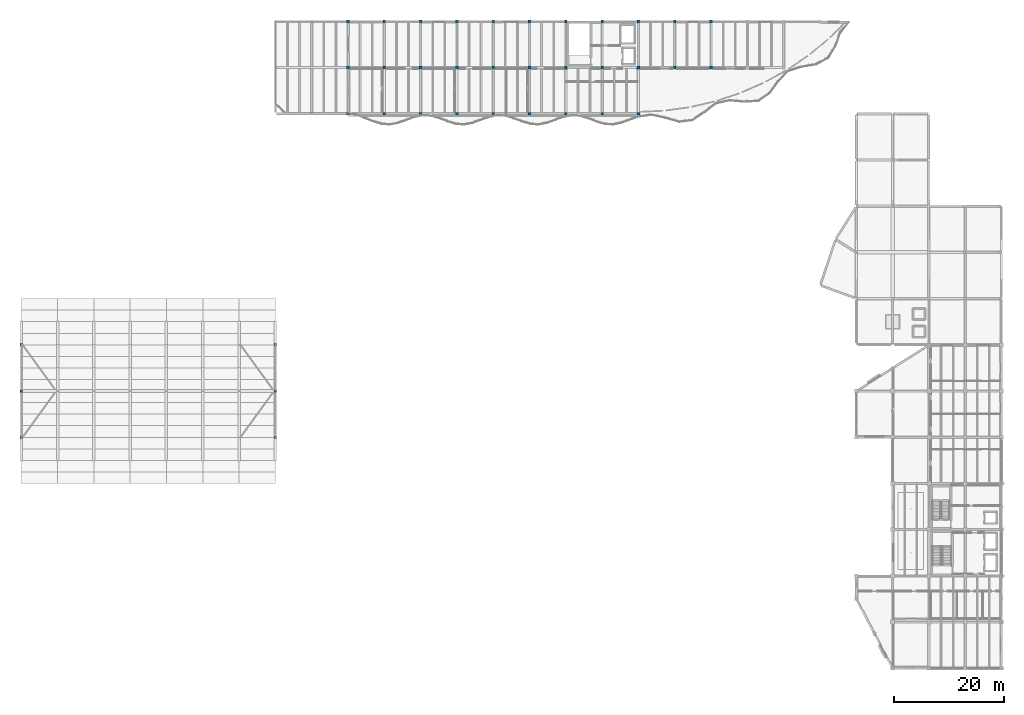
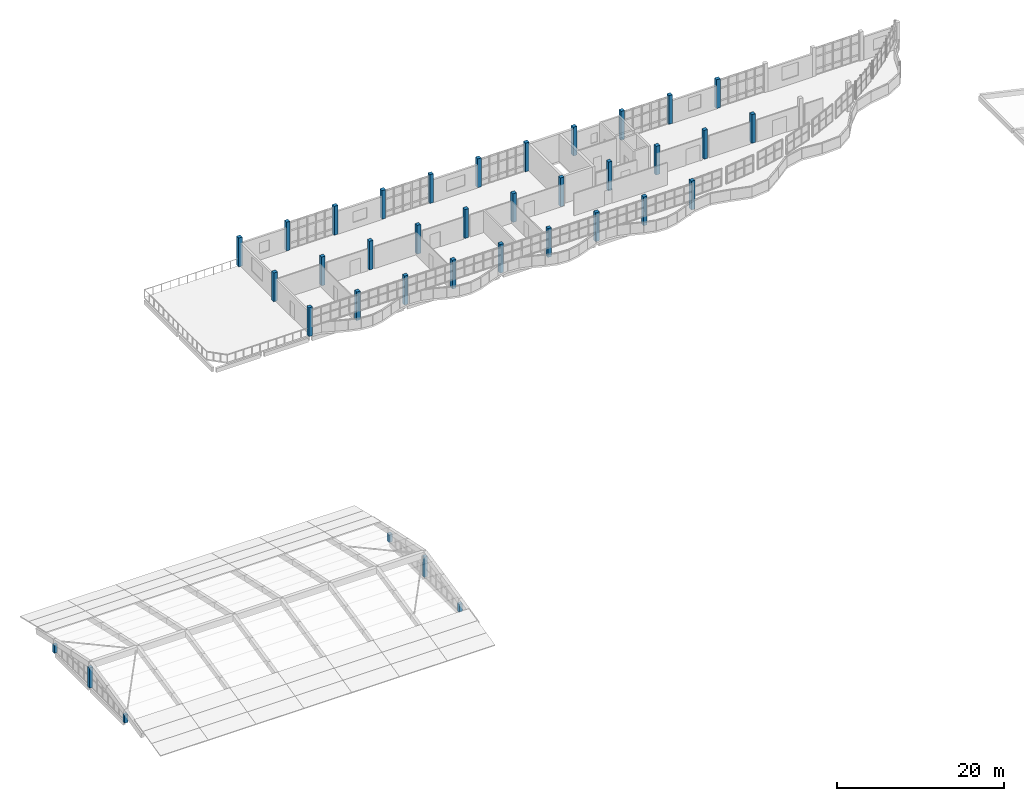
# One storey, part 1 of 47: 37 columns.
"""IFC4 building model written with IfcOpenShell, lengths in metres."""

from ifc_helpers import new_model, si_unit, direction, frame, origin, origin_2d, place, context, subcontext, project, spatial, rectangle, extrude, material, material_profile, profile_set, type_object, element, save


model = new_model("IFC4")

# Units and contexts
model_context = context("Model", 3, precision=1e-05, world=origin(), true_north=direction((0.0, 1.0)))
body_context = subcontext(model_context, "Body", "Model", "MODEL_VIEW")
ifc_project = project(units=[si_unit("LENGTHUNIT", "METRE"), si_unit("AREAUNIT", "SQUARE_METRE"), si_unit("VOLUMEUNIT", "CUBIC_METRE"), si_unit("PLANEANGLEUNIT", "RADIAN"), si_unit("MASSUNIT", "GRAM", prefix="KILO")], contexts=[model_context])

# Site, building, storey
site_placement = place(None, origin())
site = spatial("IfcSite", under=ifc_project, at=site_placement, CompositionType="ELEMENT")
building_placement = place(site_placement, origin())
building = spatial("IfcBuilding", under=site, at=building_placement, Name="Qaldarim Faculty of Natural and Applied Sciences", CompositionType="ELEMENT")
storey_placement = place(building_placement, frame((0.0, 0.0, 22.800048828125)))
storey = spatial("IfcBuildingStorey", under=building, at=storey_placement, Name="L05", CompositionType="ELEMENT", Elevation=22.800048828125)

# Columns
ifc_material_1 = material(Name="Concrete C40/50", Category="concrete")
ifc_material_profile_1 = material_profile(ifc_material_1, rectangle(XDim=0.449951171875, YDim=0.449951171875, at=origin_2d()), Name="RC-C450x450")
ifc_profile_set_1 = profile_set([ifc_material_profile_1], Name="Concrete C40/50")
column_type_1 = type_object("IfcColumnType", Name="Column-RC450x450", PredefinedType="COLUMN", material=ifc_profile_set_1)
column_1_placement = place(storey_placement, frame((0.0, 42.0, 0.0), z_axis=(0.0, 0.0, 1.0), x_axis=(1.0, 0.0, 0.0)))
element("IfcColumn", 1, at=column_1_placement, inside=storey, type_object=column_type_1, Name="Shell gable upper pier column X01/Y06 L05", PredefinedType="COLUMN", context=body_context, shape_type="SweptSolid", body=[
    extrude(rectangle(XDim=0.449951171875, YDim=0.449951171875, at=origin_2d()), origin(), (0.0, 0.0, 1.0), 1.159912109375),
])
column_2_placement = place(storey_placement, frame((0.0, 50.39990234375, 0.0), z_axis=(0.0, 0.0, 1.0), x_axis=(1.0, 0.0, 0.0)))
element("IfcColumn", 2, at=column_2_placement, inside=storey, type_object=column_type_1, Name="Shell gable upper pier column X01/Y07 L05", PredefinedType="COLUMN", context=body_context, shape_type="SweptSolid", body=[
    extrude(rectangle(XDim=0.449951171875, YDim=0.449951171875, at=origin_2d()), origin(), (0.0, 0.0, 1.0), 2.9599609375),
])
for number, where, z_axis, x_axis, name in (
    (3, (0.0, 58.800048828125, 0.0), (0.0, 0.0, 1.0), (1.0, 0.0, 0.0), "Shell gable upper pier column X01/Y08 L05"),
    (4, (46.199951171875, 42.0, 0.0), (0.0, 0.0, 1.0), (1.0, 0.0, 0.0), "Shell gable upper pier column X08/Y06 L05"),
):
    element("IfcColumn", number, at=place(storey_placement, frame(where, z_axis=z_axis, x_axis=x_axis)), inside=storey, type_object=column_type_1, Name=name, PredefinedType="COLUMN", context=body_context, shape_type="SweptSolid", body=[
        extrude(rectangle(XDim=0.449951171875, YDim=0.449951171875, at=origin_2d()), origin(), (0.0, 0.0, 1.0), 1.159912109375),
    ])
column_3_placement = place(storey_placement, frame((46.199951171875, 50.39990234375, 0.0), z_axis=(0.0, 0.0, 1.0), x_axis=(1.0, 0.0, 0.0)))
element("IfcColumn", 5, at=column_3_placement, inside=storey, type_object=column_type_1, Name="Shell gable upper pier column X08/Y07 L05", PredefinedType="COLUMN", context=body_context, shape_type="SweptSolid", body=[
    extrude(rectangle(XDim=0.449951171875, YDim=0.449951171875, at=origin_2d()), origin(), (0.0, 0.0, 1.0), 2.9599609375),
])
column_4_placement = place(storey_placement, frame((46.199951171875, 58.800048828125, 0.0), z_axis=(0.0, 0.0, 1.0), x_axis=(1.0, 0.0, 0.0)))
element("IfcColumn", 6, at=column_4_placement, inside=storey, type_object=column_type_1, Name="Shell gable upper pier column X08/Y08 L05", PredefinedType="COLUMN", context=body_context, shape_type="SweptSolid", body=[
    extrude(rectangle(XDim=0.449951171875, YDim=0.449951171875, at=origin_2d()), origin(), (0.0, 0.0, 1.0), 1.159912109375),
])
ifc_material_2 = material(Name="Concrete C50/60", Category="concrete")
ifc_material_profile_2 = material_profile(ifc_material_2, rectangle(XDim=0.5, YDim=0.5, at=origin_2d()), Name="RC-C500x500")
ifc_profile_set_2 = profile_set([ifc_material_profile_2], Name="Concrete C50/60")
column_type_2 = type_object("IfcColumnType", Name="Column-RC500x500", PredefinedType="COLUMN", material=ifc_profile_set_2)
for number, where, z_axis, x_axis, name in (
    (7, (59.39990234375, 100.800048828125, 0.0), (0.0, 0.0, 1.0), (1.0, 0.0, 0.0), "Column X10/Y13 L05"),
    (8, (59.39990234375, 109.199951171875, 0.0), (0.0, 0.0, 1.0), (1.0, 0.0, 0.0), "Column X10/Y14 L05"),
    (9, (59.39990234375, 117.60009765625, 0.0), (0.0, 0.0, 1.0), (1.0, 0.0, 0.0), "Column X10/Y15 L05"),
    (10, (66.0, 100.800048828125, 0.0), (0.0, 0.0, 1.0), (1.0, 0.0, 0.0), "Column X11/Y13 L05"),
    (11, (66.0, 109.199951171875, 0.0), (0.0, 0.0, 1.0), (1.0, 0.0, 0.0), "Column X11/Y14 L05"),
    (12, (66.0, 117.60009765625, 0.0), (0.0, 0.0, 1.0), (1.0, 0.0, 0.0), "Column X11/Y15 L05"),
    (13, (72.60009765625, 100.800048828125, 0.0), (0.0, 0.0, 1.0), (1.0, 0.0, 0.0), "Column X12/Y13 L05"),
    (14, (72.60009765625, 109.199951171875, 0.0), (0.0, 0.0, 1.0), (1.0, 0.0, 0.0), "Column X12/Y14 L05"),
    (15, (72.60009765625, 117.60009765625, 0.0), (0.0, 0.0, 1.0), (1.0, 0.0, 0.0), "Column X12/Y15 L05"),
    (16, (79.199951171875, 100.800048828125, 0.0), (0.0, 0.0, 1.0), (1.0, 0.0, 0.0), "Column X13/Y13 L05"),
    (17, (79.199951171875, 109.199951171875, 0.0), (0.0, 0.0, 1.0), (1.0, 0.0, 0.0), "Column X13/Y14 L05"),
    (18, (79.199951171875, 117.60009765625, 0.0), (0.0, 0.0, 1.0), (1.0, 0.0, 0.0), "Column X13/Y15 L05"),
    (19, (85.800048828125, 100.800048828125, 0.0), (0.0, 0.0, 1.0), (1.0, 0.0, 0.0), "Column X14/Y13 L05"),
    (20, (85.800048828125, 109.199951171875, 0.0), (0.0, 0.0, 1.0), (1.0, 0.0, 0.0), "Column X14/Y14 L05"),
    (21, (85.800048828125, 117.60009765625, 0.0), (0.0, 0.0, 1.0), (1.0, 0.0, 0.0), "Column X14/Y15 L05"),
    (22, (92.39990234375, 100.800048828125, 0.0), (0.0, 0.0, 1.0), (1.0, 0.0, 0.0), "Column X15/Y13 L05"),
    (23, (92.39990234375, 109.199951171875, 0.0), (0.0, 0.0, 1.0), (1.0, 0.0, 0.0), "Column X15/Y14 L05"),
    (24, (92.39990234375, 117.60009765625, 0.0), (0.0, 0.0, 1.0), (1.0, 0.0, 0.0), "Column X15/Y15 L05"),
    (25, (99.0, 100.800048828125, 0.0), (0.0, 0.0, 1.0), (1.0, 0.0, 0.0), "Column X16/Y13 L05"),
    (26, (99.0, 109.199951171875, 0.0), (0.0, 0.0, 1.0), (1.0, 0.0, 0.0), "Column X16/Y14 L05"),
    (27, (99.0, 117.60009765625, 0.0), (0.0, 0.0, 1.0), (1.0, 0.0, 0.0), "Column X16/Y15 L05"),
    (28, (105.60009765625, 100.800048828125, 0.0), (0.0, 0.0, 1.0), (1.0, 0.0, 0.0), "Column X17/Y13 L05"),
    (29, (105.60009765625, 109.199951171875, 0.0), (0.0, 0.0, 1.0), (1.0, 0.0, 0.0), "Column X17/Y14 L05"),
    (30, (105.60009765625, 117.60009765625, 0.0), (0.0, 0.0, 1.0), (1.0, 0.0, 0.0), "Column X17/Y15 L05"),
    (31, (112.199951171875, 100.800048828125, 0.0), (0.0, 0.0, 1.0), (1.0, 0.0, 0.0), "Column X18/Y13 L05"),
    (32, (112.199951171875, 109.199951171875, 0.0), (0.0, 0.0, 1.0), (1.0, 0.0, 0.0), "Column X18/Y14 L05"),
    (33, (112.199951171875, 117.60009765625, 0.0), (0.0, 0.0, 1.0), (1.0, 0.0, 0.0), "Column X18/Y15 L05"),
    (34, (118.800048828125, 109.199951171875, 0.0), (0.0, 0.0, 1.0), (1.0, 0.0, 0.0), "Column X19/Y14 L05"),
    (35, (118.800048828125, 117.60009765625, 0.0), (0.0, 0.0, 1.0), (1.0, 0.0, 0.0), "Column X19/Y15 L05"),
    (36, (125.39990234375, 109.199951171875, 0.0), (0.0, 0.0, 1.0), (1.0, 0.0, 0.0), "Column X20/Y14 L05"),
    (37, (125.39990234375, 117.60009765625, 0.0), (0.0, 0.0, 1.0), (1.0, 0.0, 0.0), "Column X20/Y15 L05"),
):
    element("IfcColumn", number, at=place(storey_placement, frame(where, z_axis=z_axis, x_axis=x_axis)), inside=storey, type_object=column_type_2, Name=name, PredefinedType="COLUMN", context=body_context, shape_type="SweptSolid", body=[
        extrude(rectangle(XDim=0.5, YDim=0.5, at=origin_2d()), origin(), (0.0, 0.0, 1.0), 4.199951171875),
    ])

save(model, "model.ifc")
